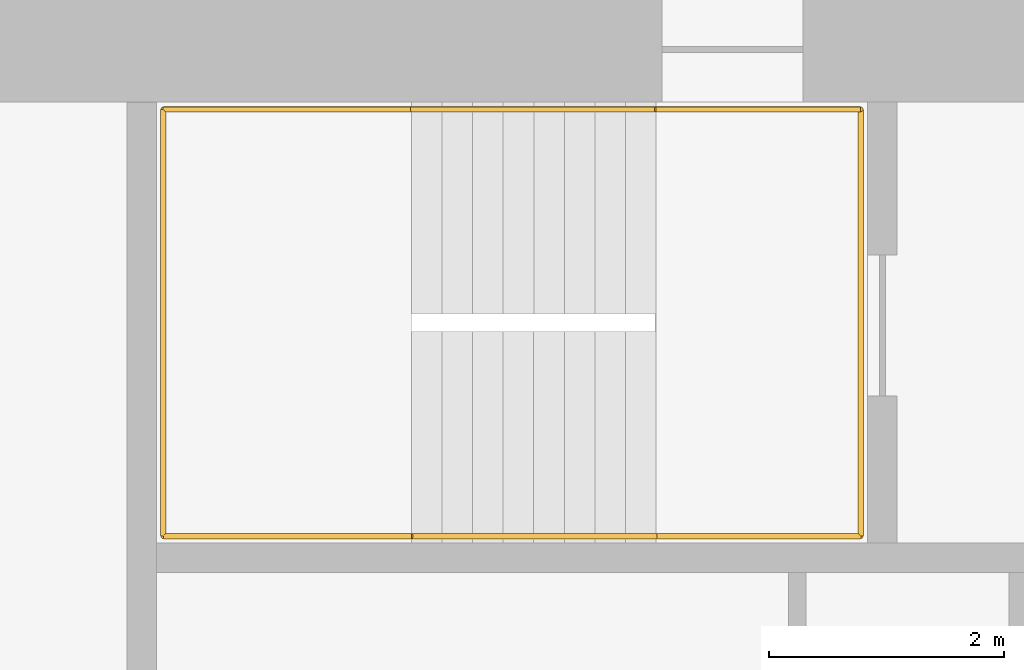
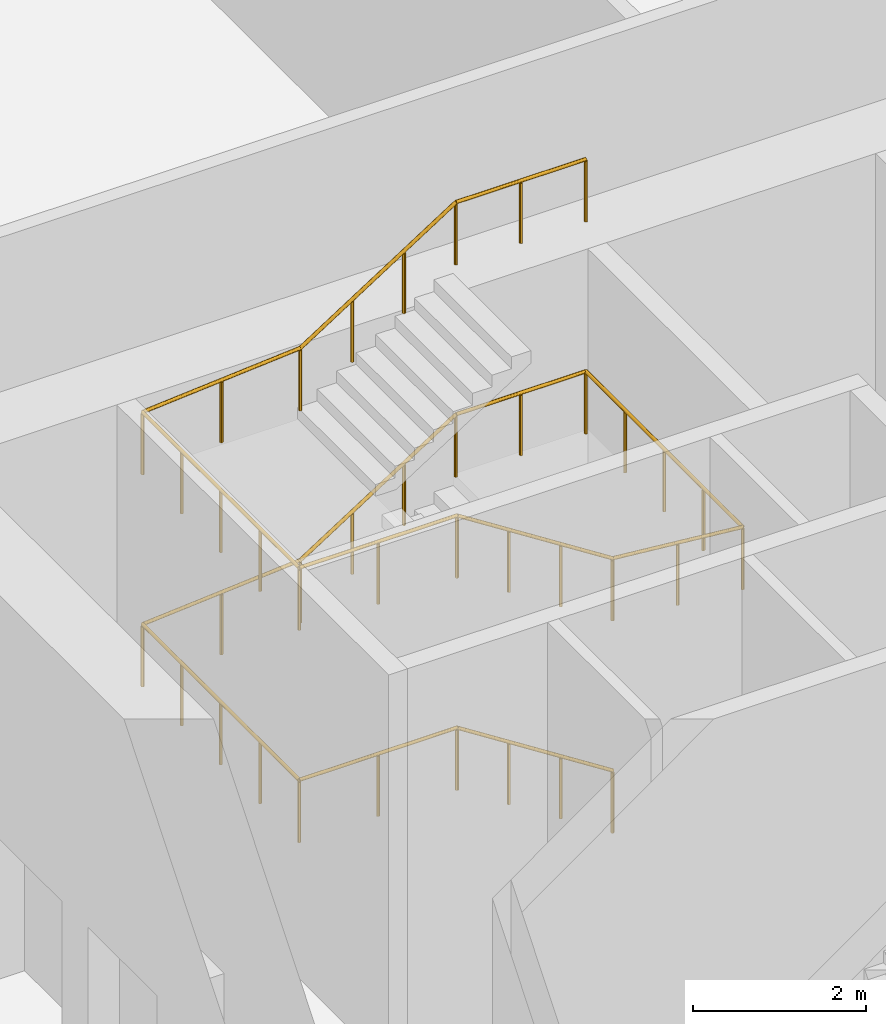
# One storey, part 35 of 35: 1 railing.
"""IFC4 building model written with IfcOpenShell, lengths in metres."""

import ifcopenshell
import ifcopenshell.guid

model = None  # the IFC model being written
_history = None  # IfcOwnerHistory: only IFC2X3 demands one
_inside = {}  # id of a spatial element -> (the spatial element, [elements in it])
_under = {}  # id of a project, library or spatial element -> (it, [spatial elements below it])
_declared = {}  # id of a project -> (the project, [libraries it declares])
_typed = {}  # id of a type object -> (the type object, [elements of that type])
_made_of = {}  # id of a material, layer set ... -> (it, [elements and type objects made of it])


def new_model(schema):
    """Start an empty IFC model of exactly this schema.

    Asked for "IFC4X3", IfcOpenShell would pick the latest addendum, in which some entities
    have other attributes; the version numbers below select the first issue.
    IFC2X3 requires an IfcOwnerHistory on every rooted entity: one is made here for all.
    """
    global model, _history
    if schema == "IFC4X3":
        model = ifcopenshell.file(schema_version=(4, 3, 0, 0))
    else:
        model = ifcopenshell.file(schema=schema)
    _inside.clear()
    _under.clear()
    _declared.clear()
    _typed.clear()
    _made_of.clear()
    _history = None
    if model.schema == "IFC2X3":
        org = make("IfcOrganization", Name="unknown")
        user = make(
            "IfcPersonAndOrganization",
            ThePerson=make("IfcPerson", FamilyName="unknown"),
            TheOrganization=org,
        )
        app = make(
            "IfcApplication",
            ApplicationDeveloper=org,
            Version="unknown",
            ApplicationFullName="unknown",
            ApplicationIdentifier="unknown",
        )
        _history = make(
            "IfcOwnerHistory",
            OwningUser=user,
            OwningApplication=app,
            ChangeAction="ADDED",
            CreationDate=0,
        )
    return model


def make(cls, **values):
    """One entity of the class cls with the attributes given. An attribute that is None is left unset."""
    return model.create_entity(
        cls, **{name: value for name, value in values.items() if value is not None}
    )


def rooted(cls, **values):
    """An entity with a GlobalId (a new one), such as an element, a storey or a relation."""
    return make(cls, GlobalId=ifcopenshell.guid.new(), OwnerHistory=_history, **values)


def si_unit(unit_type, name, prefix=None):
    """IfcSIUnit, for example si_unit("LENGTHUNIT", "METRE", prefix="MILLI")."""
    return make("IfcSIUnit", UnitType=unit_type, Prefix=prefix, Name=name)


def assignment(units):
    """IfcUnitAssignment: the units of a project."""
    return None if units is None else make("IfcUnitAssignment", Units=units)


def point(xyz):
    """IfcCartesianPoint."""
    return None if xyz is None else make("IfcCartesianPoint", Coordinates=xyz)


def direction(xyz):
    """IfcDirection."""
    return None if xyz is None else make("IfcDirection", DirectionRatios=xyz)


def frame(location, z_axis=None, x_axis=None):
    """IfcAxis2Placement3D, a coordinate frame: its origin and axes. An axis left out is left unset."""
    return make(
        "IfcAxis2Placement3D",
        Location=point(location),
        Axis=direction(z_axis),
        RefDirection=direction(x_axis),
    )


def frame_2d(location, x_axis=None):
    """IfcAxis2Placement2D, a coordinate frame in the plane: its origin and x axis."""
    return make(
        "IfcAxis2Placement2D", Location=point(location), RefDirection=direction(x_axis)
    )


def origin():
    """The frame at (0, 0, 0) with its axes left unset."""
    return frame((0.0, 0.0, 0.0))


def origin_2d():
    """The frame at (0, 0) in the plane with its x axis left unset."""
    return frame_2d((0.0, 0.0))


def place(relative_to, where):
    """IfcLocalPlacement: puts the frame where relative to a parent placement (None: the world)."""
    return make(
        "IfcLocalPlacement", PlacementRelTo=relative_to, RelativePlacement=where
    )


def context(
    kind, dimensions, precision=None, world=None, true_north=None, identifier=None
):
    """IfcGeometricRepresentationContext, for example the 3D "Model" context."""
    return make(
        "IfcGeometricRepresentationContext",
        ContextIdentifier=identifier,
        ContextType=kind,
        CoordinateSpaceDimension=dimensions,
        Precision=precision,
        WorldCoordinateSystem=world,
        TrueNorth=true_north,
    )


def subcontext(parent, identifier, kind, view, scale=None):
    """IfcGeometricRepresentationSubContext, for example "Body" below "Model"."""
    return make(
        "IfcGeometricRepresentationSubContext",
        ContextIdentifier=identifier,
        ContextType=kind,
        ParentContext=parent,
        TargetScale=scale,
        TargetView=view,
    )


def project(units=None, contexts=None):
    """IfcProject with its units and contexts."""
    return rooted(
        "IfcProject",
        Name="project",
        RepresentationContexts=contexts,
        UnitsInContext=assignment(units),
    )


def spatial(cls, under=None, at=None, **own):
    """A site, building, storey or space (cls), placed at a placement, below another one or the project."""
    s = rooted(cls, ObjectPlacement=at, **own)
    if under is not None:
        _under.setdefault(under.id(), (under, []))[1].append(s)
    return s


def profile(cls, at=None, kind="AREA", **sizes):
    """A parametric profile (cls). Its sizes go by their IFC names, for example OverallWidth=200.0."""
    return make(cls, ProfileType=kind, Position=at, **sizes)


def circle(**sizes):
    """IfcCircleProfileDef."""
    return profile("IfcCircleProfileDef", **sizes)


def extrude(swept, where, along, depth):
    """IfcExtrudedAreaSolid: the profile swept, set in the frame where, extruded along a direction by depth."""
    return make(
        "IfcExtrudedAreaSolid",
        SweptArea=swept,
        Position=where,
        ExtrudedDirection=direction(along),
        Depth=depth,
    )


def shape(context_of_items, identifier, shape_type, items):
    """IfcShapeRepresentation: the items that make up one representation, for example the "Body"."""
    return make(
        "IfcShapeRepresentation",
        ContextOfItems=context_of_items,
        RepresentationIdentifier=identifier,
        RepresentationType=shape_type,
        Items=items,
    )


def material(Name=None, Category=None):
    """IfcMaterial."""
    return make("IfcMaterial", Name=Name, Category=Category)


def made_of(thing, what):
    """Note that an element or type object is made of a material, layer set ...; save() writes the relation."""
    if what is not None:
        _made_of.setdefault(what.id(), (what, []))[1].append(thing)
    return thing


def type_object(cls, material=None, **own):
    """A type object (cls), such as IfcWallType, which elements share."""
    return made_of(rooted(cls, **own), material)


def element(
    cls,
    number,
    at=None,
    inside=None,
    cuts=None,
    type_object=None,
    material=None,
    context=None,
    identifier="Body",
    shape_type=None,
    held_by="IfcProductDefinitionShape",
    body=None,
    shapes=None,
    **own,
):
    """One element of the class cls, such as IfcWall. Its Tag is "e" and its number.

    at: its placement. inside: the storey or other place that contains it. cuts: it is an
    opening in that element (IfcRelVoidsElement). A single representation is given by context,
    identifier, shape_type and body (its items); several are given by shapes. held_by: the class
    of the entity that holds the representations. save() writes the other relations.
    """
    e = rooted(cls, Tag="e%d" % number, ObjectPlacement=at, **own)
    if body is not None:
        shapes = [shape(context, identifier, shape_type, body)]
    if shapes is not None:
        e.Representation = make(held_by, Representations=shapes)
    if inside is not None:
        _inside.setdefault(inside.id(), (inside, []))[1].append(e)
    if cuts is not None:
        rooted(
            "IfcRelVoidsElement", RelatingBuildingElement=cuts, RelatedOpeningElement=e
        )
    if type_object is not None:
        _typed.setdefault(type_object.id(), (type_object, []))[1].append(e)
    return made_of(e, material)


def aggregate(whole, parts):
    """IfcRelAggregates: a whole, such as a stair, and the parts it consists of."""
    return rooted("IfcRelAggregates", RelatingObject=whole, RelatedObjects=parts)


def save(model, path):
    """Write the relations noted so far, then the file.

    IfcRelAggregates (storeys below a building ...), IfcRelContainedInSpatialStructure (elements
    in a storey), IfcRelDefinesByType, IfcRelAssociatesMaterial and IfcRelDeclares: one each for
    every whole, place, type object, material and project.
    """
    for whole, parts in _under.values():
        aggregate(whole, parts)
    for where, things in _inside.values():
        rooted(
            "IfcRelContainedInSpatialStructure",
            RelatedElements=things,
            RelatingStructure=where,
        )
    for kind, things in _typed.values():
        rooted("IfcRelDefinesByType", RelatedObjects=things, RelatingType=kind)
    for what, things in _made_of.values():
        rooted("IfcRelAssociatesMaterial", RelatedObjects=things, RelatingMaterial=what)
    for by, libraries in _declared.values():
        rooted("IfcRelDeclares", RelatingContext=by, RelatedDefinitions=libraries)
    model.write(path)


model = new_model("IFC4")

# Units and contexts
model_context = context("Model", 3, precision=1e-05, world=origin(), true_north=direction((0.0, 1.0)))
body_context = subcontext(model_context, "Body", "Model", "MODEL_VIEW")
ifc_project = project(units=[si_unit("LENGTHUNIT", "METRE"), si_unit("AREAUNIT", "SQUARE_METRE"), si_unit("VOLUMEUNIT", "CUBIC_METRE"), si_unit("PLANEANGLEUNIT", "RADIAN"), si_unit("MASSUNIT", "GRAM", prefix="KILO")], contexts=[model_context])

# Site, building, storey
site_placement = place(None, origin())
site = spatial("IfcSite", under=ifc_project, at=site_placement, CompositionType="ELEMENT")
building_placement = place(site_placement, origin())
building = spatial("IfcBuilding", under=site, at=building_placement, Name="Hakoniwa Tower and Hamabe Station Hall", CompositionType="ELEMENT")
storey_placement = place(building_placement, frame((0.0, 0.0, 264.60009765625)))
storey = spatial("IfcBuildingStorey", under=building, at=storey_placement, Name="L75", CompositionType="ELEMENT", Elevation=264.60009765625)

# Railing
ifc_material = material(Name="Stainless steel SUS304", Category="steel")
railing_type = type_object("IfcRailingType", Name="STAIR HANDRAIL 900", PredefinedType="HANDRAIL", material=ifc_material)
railing_placement = place(storey_placement, frame((24.39990234375, 3.81005859375, 0.16650390625)))
element("IfcRailing", 1, at=railing_placement, inside=storey, type_object=railing_type, Name="Handrail ST-3 L75 1", PredefinedType="HANDRAIL", context=body_context, shape_type="SweptSolid", body=[
    extrude(circle(Radius=0.02392578125, at=origin_2d()), frame((0.0, 0.0, 0.8759765625), z_axis=(-0.841829634381, 0.0, 0.539743334075), x_axis=(0.0, -1.0, 0.0)), (0.0, 0.0, 1.0), 2.470703125),
    extrude(circle(Radius=0.02392578125, at=origin_2d()), frame((-2.079833984375, 0.0, 2.20947265625), z_axis=(-1.0, 0.0, 0.0), x_axis=(0.0, -1.0, 0.0)), (0.0, 0.0, 1.0), 2.110107421875),
    extrude(circle(Radius=0.02392578125, at=origin_2d()), frame((-4.18994140625, 0.0, 2.20947265625), z_axis=(0.0, 1.0, 0.0), x_axis=(-1.0, 0.0, 0.0)), (0.0, 0.0, 1.0), 3.6298828125),
    extrude(circle(Radius=0.02392578125, at=origin_2d()), frame((-4.18994140625, 3.6298828125, 2.20947265625), z_axis=(0.99690124378, 0.0, 0.078663270653), x_axis=(0.0, 1.0, 0.0)), (0.0, 0.0, 1.0), 2.11669921875),
    extrude(circle(Radius=0.02392578125, at=origin_2d()), frame((-2.079833984375, 3.6298828125, 2.3759765625), z_axis=(0.841829634381, 0.0, 0.539743334075), x_axis=(0.0, 1.0, 0.0)), (0.0, 0.0, 1.0), 2.470703125),
    extrude(circle(Radius=0.02392578125, at=origin_2d()), frame((0.0, 3.6298828125, 3.70947265625), z_axis=(1.0, 0.0, 0.0), x_axis=(0.0, 1.0, 0.0)), (0.0, 0.0, 1.0), 1.739990234375),
    extrude(circle(Radius=0.02392578125, at=origin_2d()), frame((1.739990234375, 3.6298828125, 3.70947265625), z_axis=(0.0, -1.0, 0.0), x_axis=(1.0, 0.0, 0.0)), (0.0, 0.0, 1.0), 3.6298828125),
    extrude(circle(Radius=0.02392578125, at=origin_2d()), frame((1.739990234375, 0.0, 3.70947265625), z_axis=(-0.995452684975, 0.0, 0.095257293553), x_axis=(0.0, -1.0, 0.0)), (0.0, 0.0, 1.0), 1.748046875),
    extrude(circle(Radius=0.02392578125, at=origin_2d()), frame((0.0, 0.0, 3.8759765625), z_axis=(-0.841829634381, 0.0, 0.539743334075), x_axis=(0.0, -1.0, 0.0)), (0.0, 0.0, 1.0), 2.470703125),
    extrude(circle(Radius=0.02392578125, at=origin_2d()), frame((-2.079833984375, 0.0, 5.20947265625), z_axis=(-1.0, 0.0, 0.0), x_axis=(0.0, -1.0, 0.0)), (0.0, 0.0, 1.0), 2.110107421875),
    extrude(circle(Radius=0.02392578125, at=origin_2d()), frame((-4.18994140625, 0.0, 5.20947265625), z_axis=(0.0, 1.0, 0.0), x_axis=(-1.0, 0.0, 0.0)), (0.0, 0.0, 1.0), 3.6298828125),
    extrude(circle(Radius=0.02392578125, at=origin_2d()), frame((-4.18994140625, 3.6298828125, 5.20947265625), z_axis=(0.99690124378, 0.0, 0.078663270653), x_axis=(0.0, 1.0, 0.0)), (0.0, 0.0, 1.0), 2.11669921875),
    extrude(circle(Radius=0.02392578125, at=origin_2d()), frame((-2.079833984375, 3.6298828125, 5.3759765625), z_axis=(0.841829634381, 0.0, 0.539743334075), x_axis=(0.0, 1.0, 0.0)), (0.0, 0.0, 1.0), 2.470703125),
    extrude(circle(Radius=0.02392578125, at=origin_2d()), frame((0.0, 3.6298828125, 6.70947265625), z_axis=(1.0, 0.0, 0.0), x_axis=(0.0, 1.0, 0.0)), (0.0, 0.0, 1.0), 1.739990234375),
    extrude(circle(Radius=0.02099609375, at=origin_2d()), origin(), (0.0, 0.0, 1.0), 0.851806640625),
    extrude(circle(Radius=0.02099609375, at=origin_2d()), frame((-0.693359375, 0.0, 0.444580078125)), (0.0, 0.0, 1.0), 0.851806640625),
    extrude(circle(Radius=0.02099609375, at=origin_2d()), frame((-1.386474609375, 0.0, 0.888916015625)), (0.0, 0.0, 1.0), 0.851806640625),
    extrude(circle(Radius=0.02099609375, at=origin_2d()), frame((-2.079833984375, 0.0, 1.33349609375)), (0.0, 0.0, 1.0), 0.851806640625),
    extrude(circle(Radius=0.02099609375, at=origin_2d()), frame((-3.134765625, 0.0, 1.33349609375)), (0.0, 0.0, 1.0), 0.851806640625),
    extrude(circle(Radius=0.02099609375, at=origin_2d()), frame((-4.18994140625, 0.0, 1.33349609375)), (0.0, 0.0, 1.0), 0.851806640625),
    extrude(circle(Radius=0.02099609375, at=origin_2d()), frame((-4.18994140625, 0.907470703125, 1.33349609375)), (0.0, 0.0, 1.0), 0.851806640625),
    extrude(circle(Radius=0.02099609375, at=origin_2d()), frame((-4.18994140625, 1.81494140625, 1.33349609375)), (0.0, 0.0, 1.0), 0.851806640625),
    extrude(circle(Radius=0.02099609375, at=origin_2d()), frame((-4.18994140625, 2.722412109375, 1.33349609375)), (0.0, 0.0, 1.0), 0.851806640625),
    extrude(circle(Radius=0.02099609375, at=origin_2d()), frame((-4.18994140625, 3.6298828125, 1.33349609375)), (0.0, 0.0, 1.0), 0.851806640625),
    extrude(circle(Radius=0.02099609375, at=origin_2d()), frame((-3.134765625, 3.6298828125, 1.416748046875)), (0.0, 0.0, 1.0), 0.851806640625),
    extrude(circle(Radius=0.02099609375, at=origin_2d()), frame((-2.079833984375, 3.6298828125, 1.5)), (0.0, 0.0, 1.0), 0.851806640625),
    extrude(circle(Radius=0.02099609375, at=origin_2d()), frame((-1.386474609375, 3.6298828125, 1.944580078125)), (0.0, 0.0, 1.0), 0.851806640625),
    extrude(circle(Radius=0.02099609375, at=origin_2d()), frame((-0.693359375, 3.6298828125, 2.388916015625)), (0.0, 0.0, 1.0), 0.851806640625),
    extrude(circle(Radius=0.02099609375, at=origin_2d()), frame((0.0, 3.6298828125, 2.83349609375)), (0.0, 0.0, 1.0), 0.851806640625),
    extrude(circle(Radius=0.02099609375, at=origin_2d()), frame((0.8701171875, 3.6298828125, 2.83349609375)), (0.0, 0.0, 1.0), 0.851806640625),
    extrude(circle(Radius=0.02099609375, at=origin_2d()), frame((1.739990234375, 3.6298828125, 2.83349609375)), (0.0, 0.0, 1.0), 0.851806640625),
    extrude(circle(Radius=0.02099609375, at=origin_2d()), frame((1.739990234375, 2.722412109375, 2.83349609375)), (0.0, 0.0, 1.0), 0.851806640625),
    extrude(circle(Radius=0.02099609375, at=origin_2d()), frame((1.739990234375, 1.81494140625, 2.83349609375)), (0.0, 0.0, 1.0), 0.851806640625),
    extrude(circle(Radius=0.02099609375, at=origin_2d()), frame((1.739990234375, 0.907470703125, 2.83349609375)), (0.0, 0.0, 1.0), 0.851806640625),
    extrude(circle(Radius=0.02099609375, at=origin_2d()), frame((1.739990234375, 0.0, 2.83349609375)), (0.0, 0.0, 1.0), 0.851806640625),
    extrude(circle(Radius=0.02099609375, at=origin_2d()), frame((0.8701171875, 0.0, 2.916748046875)), (0.0, 0.0, 1.0), 0.851806640625),
    extrude(circle(Radius=0.02099609375, at=origin_2d()), frame((0.0, 0.0, 3.0)), (0.0, 0.0, 1.0), 0.851806640625),
    extrude(circle(Radius=0.02099609375, at=origin_2d()), frame((-0.693359375, 0.0, 3.444580078125)), (0.0, 0.0, 1.0), 0.851806640625),
    extrude(circle(Radius=0.02099609375, at=origin_2d()), frame((-1.386474609375, 0.0, 3.888916015625)), (0.0, 0.0, 1.0), 0.851806640625),
    extrude(circle(Radius=0.02099609375, at=origin_2d()), frame((-2.079833984375, 0.0, 4.33349609375)), (0.0, 0.0, 1.0), 0.851806640625),
    extrude(circle(Radius=0.02099609375, at=origin_2d()), frame((-3.134765625, 0.0, 4.33349609375)), (0.0, 0.0, 1.0), 0.851806640625),
    extrude(circle(Radius=0.02099609375, at=origin_2d()), frame((-4.18994140625, 0.0, 4.33349609375)), (0.0, 0.0, 1.0), 0.851806640625),
    extrude(circle(Radius=0.02099609375, at=origin_2d()), frame((-4.18994140625, 0.907470703125, 4.33349609375)), (0.0, 0.0, 1.0), 0.851806640625),
    extrude(circle(Radius=0.02099609375, at=origin_2d()), frame((-4.18994140625, 1.81494140625, 4.33349609375)), (0.0, 0.0, 1.0), 0.851806640625),
    extrude(circle(Radius=0.02099609375, at=origin_2d()), frame((-4.18994140625, 2.722412109375, 4.33349609375)), (0.0, 0.0, 1.0), 0.851806640625),
    extrude(circle(Radius=0.02099609375, at=origin_2d()), frame((-4.18994140625, 3.6298828125, 4.33349609375)), (0.0, 0.0, 1.0), 0.851806640625),
    extrude(circle(Radius=0.02099609375, at=origin_2d()), frame((-3.134765625, 3.6298828125, 4.416748046875)), (0.0, 0.0, 1.0), 0.851806640625),
    extrude(circle(Radius=0.02099609375, at=origin_2d()), frame((-2.079833984375, 3.6298828125, 4.5)), (0.0, 0.0, 1.0), 0.851806640625),
    extrude(circle(Radius=0.02099609375, at=origin_2d()), frame((-1.386474609375, 3.6298828125, 4.944580078125)), (0.0, 0.0, 1.0), 0.851806640625),
    extrude(circle(Radius=0.02099609375, at=origin_2d()), frame((-0.693359375, 3.6298828125, 5.388916015625)), (0.0, 0.0, 1.0), 0.851806640625),
    extrude(circle(Radius=0.02099609375, at=origin_2d()), frame((0.0, 3.6298828125, 5.83349609375)), (0.0, 0.0, 1.0), 0.851806640625),
    extrude(circle(Radius=0.02099609375, at=origin_2d()), frame((0.8701171875, 3.6298828125, 5.83349609375)), (0.0, 0.0, 1.0), 0.851806640625),
    extrude(circle(Radius=0.02099609375, at=origin_2d()), frame((1.739990234375, 3.6298828125, 5.83349609375)), (0.0, 0.0, 1.0), 0.851806640625),
])

save(model, "model.ifc")
